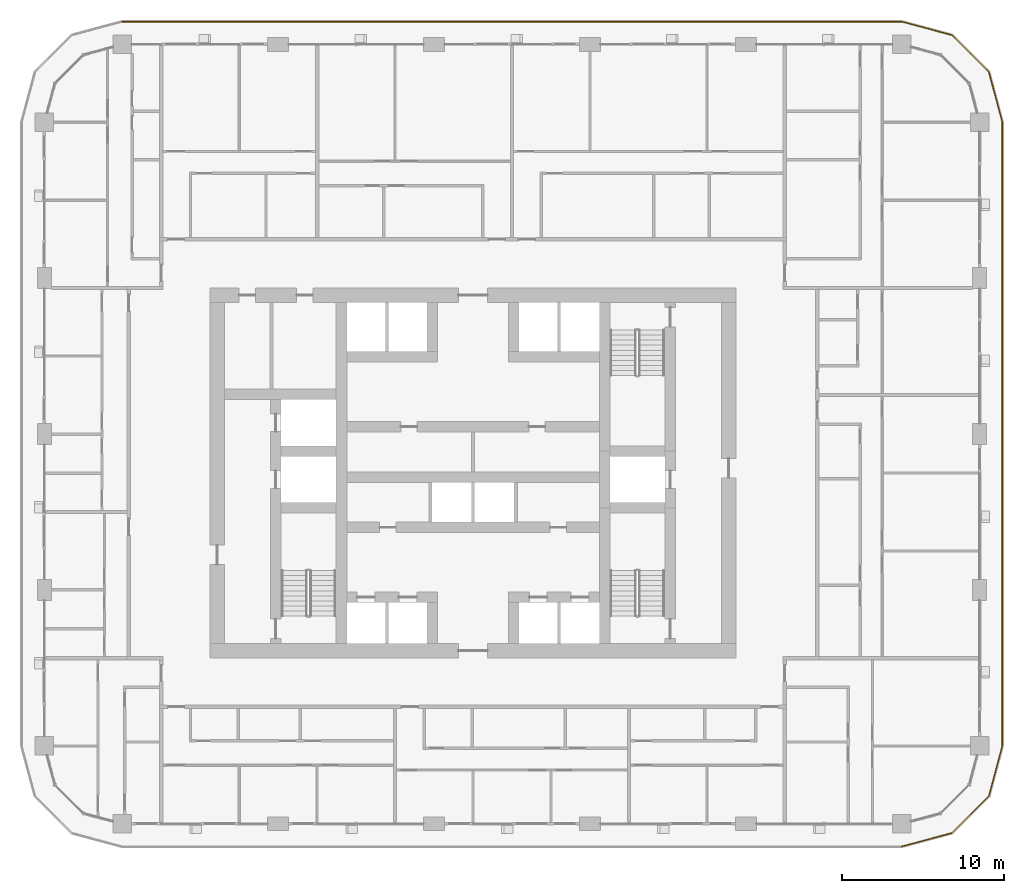
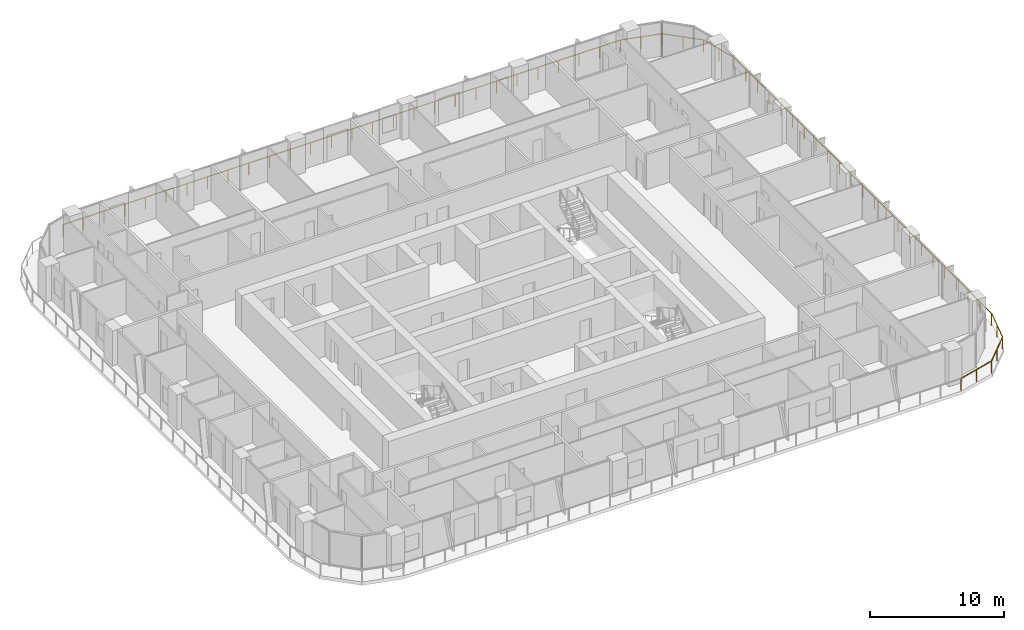
# One storey, part 19 of 21: 1 railing.
"""IFC4 building model written with IfcOpenShell, lengths in metres."""

import ifcopenshell
import ifcopenshell.guid

model = None  # the IFC model being written
_history = None  # IfcOwnerHistory: only IFC2X3 demands one
_inside = {}  # id of a spatial element -> (the spatial element, [elements in it])
_under = {}  # id of a project, library or spatial element -> (it, [spatial elements below it])
_declared = {}  # id of a project -> (the project, [libraries it declares])
_typed = {}  # id of a type object -> (the type object, [elements of that type])
_made_of = {}  # id of a material, layer set ... -> (it, [elements and type objects made of it])


def new_model(schema):
    """Start an empty IFC model of exactly this schema.

    Asked for "IFC4X3", IfcOpenShell would pick the latest addendum, in which some entities
    have other attributes; the version numbers below select the first issue.
    IFC2X3 requires an IfcOwnerHistory on every rooted entity: one is made here for all.
    """
    global model, _history
    if schema == "IFC4X3":
        model = ifcopenshell.file(schema_version=(4, 3, 0, 0))
    else:
        model = ifcopenshell.file(schema=schema)
    _inside.clear()
    _under.clear()
    _declared.clear()
    _typed.clear()
    _made_of.clear()
    _history = None
    if model.schema == "IFC2X3":
        org = make("IfcOrganization", Name="unknown")
        user = make(
            "IfcPersonAndOrganization",
            ThePerson=make("IfcPerson", FamilyName="unknown"),
            TheOrganization=org,
        )
        app = make(
            "IfcApplication",
            ApplicationDeveloper=org,
            Version="unknown",
            ApplicationFullName="unknown",
            ApplicationIdentifier="unknown",
        )
        _history = make(
            "IfcOwnerHistory",
            OwningUser=user,
            OwningApplication=app,
            ChangeAction="ADDED",
            CreationDate=0,
        )
    return model


def make(cls, **values):
    """One entity of the class cls with the attributes given. An attribute that is None is left unset."""
    return model.create_entity(
        cls, **{name: value for name, value in values.items() if value is not None}
    )


def rooted(cls, **values):
    """An entity with a GlobalId (a new one), such as an element, a storey or a relation."""
    return make(cls, GlobalId=ifcopenshell.guid.new(), OwnerHistory=_history, **values)


def si_unit(unit_type, name, prefix=None):
    """IfcSIUnit, for example si_unit("LENGTHUNIT", "METRE", prefix="MILLI")."""
    return make("IfcSIUnit", UnitType=unit_type, Prefix=prefix, Name=name)


def assignment(units):
    """IfcUnitAssignment: the units of a project."""
    return None if units is None else make("IfcUnitAssignment", Units=units)


def point(xyz):
    """IfcCartesianPoint."""
    return None if xyz is None else make("IfcCartesianPoint", Coordinates=xyz)


def direction(xyz):
    """IfcDirection."""
    return None if xyz is None else make("IfcDirection", DirectionRatios=xyz)


def frame(location, z_axis=None, x_axis=None):
    """IfcAxis2Placement3D, a coordinate frame: its origin and axes. An axis left out is left unset."""
    return make(
        "IfcAxis2Placement3D",
        Location=point(location),
        Axis=direction(z_axis),
        RefDirection=direction(x_axis),
    )


def frame_2d(location, x_axis=None):
    """IfcAxis2Placement2D, a coordinate frame in the plane: its origin and x axis."""
    return make(
        "IfcAxis2Placement2D", Location=point(location), RefDirection=direction(x_axis)
    )


def origin():
    """The frame at (0, 0, 0) with its axes left unset."""
    return frame((0.0, 0.0, 0.0))


def origin_2d():
    """The frame at (0, 0) in the plane with its x axis left unset."""
    return frame_2d((0.0, 0.0))


def place(relative_to, where):
    """IfcLocalPlacement: puts the frame where relative to a parent placement (None: the world)."""
    return make(
        "IfcLocalPlacement", PlacementRelTo=relative_to, RelativePlacement=where
    )


def context(
    kind, dimensions, precision=None, world=None, true_north=None, identifier=None
):
    """IfcGeometricRepresentationContext, for example the 3D "Model" context."""
    return make(
        "IfcGeometricRepresentationContext",
        ContextIdentifier=identifier,
        ContextType=kind,
        CoordinateSpaceDimension=dimensions,
        Precision=precision,
        WorldCoordinateSystem=world,
        TrueNorth=true_north,
    )


def subcontext(parent, identifier, kind, view, scale=None):
    """IfcGeometricRepresentationSubContext, for example "Body" below "Model"."""
    return make(
        "IfcGeometricRepresentationSubContext",
        ContextIdentifier=identifier,
        ContextType=kind,
        ParentContext=parent,
        TargetScale=scale,
        TargetView=view,
    )


def project(units=None, contexts=None):
    """IfcProject with its units and contexts."""
    return rooted(
        "IfcProject",
        Name="project",
        RepresentationContexts=contexts,
        UnitsInContext=assignment(units),
    )


def spatial(cls, under=None, at=None, **own):
    """A site, building, storey or space (cls), placed at a placement, below another one or the project."""
    s = rooted(cls, ObjectPlacement=at, **own)
    if under is not None:
        _under.setdefault(under.id(), (under, []))[1].append(s)
    return s


def profile(cls, at=None, kind="AREA", **sizes):
    """A parametric profile (cls). Its sizes go by their IFC names, for example OverallWidth=200.0."""
    return make(cls, ProfileType=kind, Position=at, **sizes)


def circle(**sizes):
    """IfcCircleProfileDef."""
    return profile("IfcCircleProfileDef", **sizes)


def extrude(swept, where, along, depth):
    """IfcExtrudedAreaSolid: the profile swept, set in the frame where, extruded along a direction by depth."""
    return make(
        "IfcExtrudedAreaSolid",
        SweptArea=swept,
        Position=where,
        ExtrudedDirection=direction(along),
        Depth=depth,
    )


def shape(context_of_items, identifier, shape_type, items):
    """IfcShapeRepresentation: the items that make up one representation, for example the "Body"."""
    return make(
        "IfcShapeRepresentation",
        ContextOfItems=context_of_items,
        RepresentationIdentifier=identifier,
        RepresentationType=shape_type,
        Items=items,
    )


def material(Name=None, Category=None):
    """IfcMaterial."""
    return make("IfcMaterial", Name=Name, Category=Category)


def made_of(thing, what):
    """Note that an element or type object is made of a material, layer set ...; save() writes the relation."""
    if what is not None:
        _made_of.setdefault(what.id(), (what, []))[1].append(thing)
    return thing


def type_object(cls, material=None, **own):
    """A type object (cls), such as IfcWallType, which elements share."""
    return made_of(rooted(cls, **own), material)


def element(
    cls,
    number,
    at=None,
    inside=None,
    cuts=None,
    type_object=None,
    material=None,
    context=None,
    identifier="Body",
    shape_type=None,
    held_by="IfcProductDefinitionShape",
    body=None,
    shapes=None,
    **own,
):
    """One element of the class cls, such as IfcWall. Its Tag is "e" and its number.

    at: its placement. inside: the storey or other place that contains it. cuts: it is an
    opening in that element (IfcRelVoidsElement). A single representation is given by context,
    identifier, shape_type and body (its items); several are given by shapes. held_by: the class
    of the entity that holds the representations. save() writes the other relations.
    """
    e = rooted(cls, Tag="e%d" % number, ObjectPlacement=at, **own)
    if body is not None:
        shapes = [shape(context, identifier, shape_type, body)]
    if shapes is not None:
        e.Representation = make(held_by, Representations=shapes)
    if inside is not None:
        _inside.setdefault(inside.id(), (inside, []))[1].append(e)
    if cuts is not None:
        rooted(
            "IfcRelVoidsElement", RelatingBuildingElement=cuts, RelatedOpeningElement=e
        )
    if type_object is not None:
        _typed.setdefault(type_object.id(), (type_object, []))[1].append(e)
    return made_of(e, material)


def aggregate(whole, parts):
    """IfcRelAggregates: a whole, such as a stair, and the parts it consists of."""
    return rooted("IfcRelAggregates", RelatingObject=whole, RelatedObjects=parts)


def save(model, path):
    """Write the relations noted so far, then the file.

    IfcRelAggregates (storeys below a building ...), IfcRelContainedInSpatialStructure (elements
    in a storey), IfcRelDefinesByType, IfcRelAssociatesMaterial and IfcRelDeclares: one each for
    every whole, place, type object, material and project.
    """
    for whole, parts in _under.values():
        aggregate(whole, parts)
    for where, things in _inside.values():
        rooted(
            "IfcRelContainedInSpatialStructure",
            RelatedElements=things,
            RelatingStructure=where,
        )
    for kind, things in _typed.values():
        rooted("IfcRelDefinesByType", RelatedObjects=things, RelatingType=kind)
    for what, things in _made_of.values():
        rooted("IfcRelAssociatesMaterial", RelatedObjects=things, RelatingMaterial=what)
    for by, libraries in _declared.values():
        rooted("IfcRelDeclares", RelatingContext=by, RelatedDefinitions=libraries)
    model.write(path)


model = new_model("IFC4")

# Units and contexts
model_context = context("Model", 3, precision=1e-05, world=origin(), true_north=direction((0.0, 1.0)))
body_context = subcontext(model_context, "Body", "Model", "MODEL_VIEW")
ifc_project = project(units=[si_unit("LENGTHUNIT", "METRE"), si_unit("AREAUNIT", "SQUARE_METRE"), si_unit("VOLUMEUNIT", "CUBIC_METRE"), si_unit("PLANEANGLEUNIT", "RADIAN"), si_unit("MASSUNIT", "GRAM", prefix="KILO")], contexts=[model_context])

# Site, building, storey
site_placement = place(None, origin())
site = spatial("IfcSite", under=ifc_project, at=site_placement, CompositionType="ELEMENT")
building_placement = place(site_placement, origin())
building = spatial("IfcBuilding", under=site, at=building_placement, Name="Madar Terraces", CompositionType="ELEMENT")
storey_placement = place(building_placement, frame((0.0, 0.0, 106.699951171875)))
storey = spatial("IfcBuildingStorey", under=building, at=storey_placement, Name="L27", CompositionType="ELEMENT", Elevation=106.699951171875)

# Railing
ifc_material = material(Name="Glass, safety glazing, with stainless steel posts", Category="steel")
railing_type = type_object("IfcRailingType", Name="Balcony glass guard 1100", PredefinedType="GUARDRAIL", material=ifc_material)
railing_placement = place(storey_placement, frame((57.60009765625, 3.39990234375, 0.0)))
element("IfcRailing", 1, at=railing_placement, inside=storey, type_object=railing_type, Name="Balcony guard", PredefinedType="GUARDRAIL", context=body_context, shape_type="SweptSolid", body=[
    extrude(circle(Radius=0.02392578125, at=origin_2d()), frame((0.0, 0.0, 1.076171875), z_axis=(0.965909675762, 0.25887931217, 0.0), x_axis=(-0.25887931217, 0.965909675762, 0.0)), (0.0, 0.0, 1.0), 3.209228515625),
    extrude(circle(Radius=0.02392578125, at=origin_2d()), frame((3.099853515625, 0.830810546875, 1.076171875), z_axis=(0.707144815061, 0.707068745266, 0.0), x_axis=(-0.707068745266, 0.707144815061, 0.0)), (0.0, 0.0, 1.0), 3.20947265625),
    extrude(circle(Radius=0.02392578125, at=origin_2d()), frame((5.369384765625, 3.10009765625, 1.076171875), z_axis=(0.258789317819, 0.9659337912, 0.0), x_axis=(-0.9659337912, 0.258789317819, 0.0)), (0.0, 0.0, 1.0), 3.20947265625),
    extrude(circle(Radius=0.02392578125, at=origin_2d()), frame((6.199951171875, 6.2001953125, 1.076171875), z_axis=(0.0, 1.0, 0.0), x_axis=(-1.0, 0.0, 0.0)), (0.0, 0.0, 1.0), 38.39990234375),
    extrude(circle(Radius=0.02392578125, at=origin_2d()), frame((6.199951171875, 44.60009765625, 1.076171875), z_axis=(-0.258789317819, 0.9659337912, 0.0), x_axis=(-0.9659337912, -0.258789317819, 0.0)), (0.0, 0.0, 1.0), 3.20947265625),
    extrude(circle(Radius=0.02392578125, at=origin_2d()), frame((5.369384765625, 47.7001953125, 1.076171875), z_axis=(-0.707144815061, 0.707068745266, 0.0), x_axis=(-0.707068745266, -0.707144815061, 0.0)), (0.0, 0.0, 1.0), 3.20947265625),
    extrude(circle(Radius=0.02392578125, at=origin_2d()), frame((3.099853515625, 49.969482421875, 1.076171875), z_axis=(-0.965928696102, 0.258808334578, 0.0), x_axis=(-0.258808334578, -0.965928696102, 0.0)), (0.0, 0.0, 1.0), 3.209228515625),
    extrude(circle(Radius=0.02392578125, at=origin_2d()), frame((0.0, 50.800048828125, 1.076171875), z_axis=(-1.0, 0.0, 0.0), x_axis=(0.0, -1.0, 0.0)), (0.0, 0.0, 1.0), 48.0),
    extrude(circle(Radius=0.02099609375, at=origin_2d()), origin(), (0.0, 0.0, 1.0), 1.052001953125),
    extrude(circle(Radius=0.02099609375, at=origin_2d()), frame((1.5498046875, 0.41552734375, 0.0)), (0.0, 0.0, 1.0), 1.052001953125),
    extrude(circle(Radius=0.02099609375, at=origin_2d()), frame((3.099853515625, 0.830810546875, 0.0)), (0.0, 0.0, 1.0), 1.052001953125),
    extrude(circle(Radius=0.02099609375, at=origin_2d()), frame((4.234619140625, 1.96533203125, 0.0)), (0.0, 0.0, 1.0), 1.052001953125),
    extrude(circle(Radius=0.02099609375, at=origin_2d()), frame((5.369384765625, 3.10009765625, 0.0)), (0.0, 0.0, 1.0), 1.052001953125),
    extrude(circle(Radius=0.02099609375, at=origin_2d()), frame((5.78466796875, 4.650146484375, 0.0)), (0.0, 0.0, 1.0), 1.052001953125),
    extrude(circle(Radius=0.02099609375, at=origin_2d()), frame((6.199951171875, 6.2001953125, 0.0)), (0.0, 0.0, 1.0), 1.052001953125),
    extrude(circle(Radius=0.02099609375, at=origin_2d()), frame((6.199951171875, 7.945556640625, 0.0)), (0.0, 0.0, 1.0), 1.052001953125),
    extrude(circle(Radius=0.02099609375, at=origin_2d()), frame((6.199951171875, 9.691162109375, 0.0)), (0.0, 0.0, 1.0), 1.052001953125),
    extrude(circle(Radius=0.02099609375, at=origin_2d()), frame((6.199951171875, 11.4365234375, 0.0)), (0.0, 0.0, 1.0), 1.052001953125),
    extrude(circle(Radius=0.02099609375, at=origin_2d()), frame((6.199951171875, 13.181884765625, 0.0)), (0.0, 0.0, 1.0), 1.052001953125),
    extrude(circle(Radius=0.02099609375, at=origin_2d()), frame((6.199951171875, 14.927490234375, 0.0)), (0.0, 0.0, 1.0), 1.052001953125),
    extrude(circle(Radius=0.02099609375, at=origin_2d()), frame((6.199951171875, 16.6728515625, 0.0)), (0.0, 0.0, 1.0), 1.052001953125),
    extrude(circle(Radius=0.02099609375, at=origin_2d()), frame((6.199951171875, 18.41845703125, 0.0)), (0.0, 0.0, 1.0), 1.052001953125),
    extrude(circle(Radius=0.02099609375, at=origin_2d()), frame((6.199951171875, 20.163818359375, 0.0)), (0.0, 0.0, 1.0), 1.052001953125),
    extrude(circle(Radius=0.02099609375, at=origin_2d()), frame((6.199951171875, 21.9091796875, 0.0)), (0.0, 0.0, 1.0), 1.052001953125),
    extrude(circle(Radius=0.02099609375, at=origin_2d()), frame((6.199951171875, 23.65478515625, 0.0)), (0.0, 0.0, 1.0), 1.052001953125),
    extrude(circle(Radius=0.02099609375, at=origin_2d()), frame((6.199951171875, 25.400146484375, 0.0)), (0.0, 0.0, 1.0), 1.052001953125),
    extrude(circle(Radius=0.02099609375, at=origin_2d()), frame((6.199951171875, 27.1455078125, 0.0)), (0.0, 0.0, 1.0), 1.052001953125),
    extrude(circle(Radius=0.02099609375, at=origin_2d()), frame((6.199951171875, 28.89111328125, 0.0)), (0.0, 0.0, 1.0), 1.052001953125),
    extrude(circle(Radius=0.02099609375, at=origin_2d()), frame((6.199951171875, 30.636474609375, 0.0)), (0.0, 0.0, 1.0), 1.052001953125),
    extrude(circle(Radius=0.02099609375, at=origin_2d()), frame((6.199951171875, 32.3818359375, 0.0)), (0.0, 0.0, 1.0), 1.052001953125),
    extrude(circle(Radius=0.02099609375, at=origin_2d()), frame((6.199951171875, 34.12744140625, 0.0)), (0.0, 0.0, 1.0), 1.052001953125),
    extrude(circle(Radius=0.02099609375, at=origin_2d()), frame((6.199951171875, 35.872802734375, 0.0)), (0.0, 0.0, 1.0), 1.052001953125),
    extrude(circle(Radius=0.02099609375, at=origin_2d()), frame((6.199951171875, 37.618408203125, 0.0)), (0.0, 0.0, 1.0), 1.052001953125),
    extrude(circle(Radius=0.02099609375, at=origin_2d()), frame((6.199951171875, 39.36376953125, 0.0)), (0.0, 0.0, 1.0), 1.052001953125),
    extrude(circle(Radius=0.02099609375, at=origin_2d()), frame((6.199951171875, 41.109130859375, 0.0)), (0.0, 0.0, 1.0), 1.052001953125),
    extrude(circle(Radius=0.02099609375, at=origin_2d()), frame((6.199951171875, 42.854736328125, 0.0)), (0.0, 0.0, 1.0), 1.052001953125),
    extrude(circle(Radius=0.02099609375, at=origin_2d()), frame((6.199951171875, 44.60009765625, 0.0)), (0.0, 0.0, 1.0), 1.052001953125),
    extrude(circle(Radius=0.02099609375, at=origin_2d()), frame((5.78466796875, 46.150146484375, 0.0)), (0.0, 0.0, 1.0), 1.052001953125),
    extrude(circle(Radius=0.02099609375, at=origin_2d()), frame((5.369384765625, 47.7001953125, 0.0)), (0.0, 0.0, 1.0), 1.052001953125),
    extrude(circle(Radius=0.02099609375, at=origin_2d()), frame((4.234619140625, 48.8349609375, 0.0)), (0.0, 0.0, 1.0), 1.052001953125),
    extrude(circle(Radius=0.02099609375, at=origin_2d()), frame((3.099853515625, 49.969482421875, 0.0)), (0.0, 0.0, 1.0), 1.052001953125),
    extrude(circle(Radius=0.02099609375, at=origin_2d()), frame((1.5498046875, 50.384765625, 0.0)), (0.0, 0.0, 1.0), 1.052001953125),
    extrude(circle(Radius=0.02099609375, at=origin_2d()), frame((0.0, 50.800048828125, 0.0)), (0.0, 0.0, 1.0), 1.052001953125),
    extrude(circle(Radius=0.02099609375, at=origin_2d()), frame((-1.77783203125, 50.800048828125, 0.0)), (0.0, 0.0, 1.0), 1.052001953125),
    extrude(circle(Radius=0.02099609375, at=origin_2d()), frame((-3.5556640625, 50.800048828125, 0.0)), (0.0, 0.0, 1.0), 1.052001953125),
    extrude(circle(Radius=0.02099609375, at=origin_2d()), frame((-5.333251953125, 50.800048828125, 0.0)), (0.0, 0.0, 1.0), 1.052001953125),
    extrude(circle(Radius=0.02099609375, at=origin_2d()), frame((-7.111083984375, 50.800048828125, 0.0)), (0.0, 0.0, 1.0), 1.052001953125),
    extrude(circle(Radius=0.02099609375, at=origin_2d()), frame((-8.888916015625, 50.800048828125, 0.0)), (0.0, 0.0, 1.0), 1.052001953125),
    extrude(circle(Radius=0.02099609375, at=origin_2d()), frame((-10.666748046875, 50.800048828125, 0.0)), (0.0, 0.0, 1.0), 1.052001953125),
    extrude(circle(Radius=0.02099609375, at=origin_2d()), frame((-12.4443359375, 50.800048828125, 0.0)), (0.0, 0.0, 1.0), 1.052001953125),
    extrude(circle(Radius=0.02099609375, at=origin_2d()), frame((-14.22216796875, 50.800048828125, 0.0)), (0.0, 0.0, 1.0), 1.052001953125),
    extrude(circle(Radius=0.02099609375, at=origin_2d()), frame((-16.0, 50.800048828125, 0.0)), (0.0, 0.0, 1.0), 1.052001953125),
    extrude(circle(Radius=0.02099609375, at=origin_2d()), frame((-17.77783203125, 50.800048828125, 0.0)), (0.0, 0.0, 1.0), 1.052001953125),
    extrude(circle(Radius=0.02099609375, at=origin_2d()), frame((-19.5556640625, 50.800048828125, 0.0)), (0.0, 0.0, 1.0), 1.052001953125),
    extrude(circle(Radius=0.02099609375, at=origin_2d()), frame((-21.333251953125, 50.800048828125, 0.0)), (0.0, 0.0, 1.0), 1.052001953125),
    extrude(circle(Radius=0.02099609375, at=origin_2d()), frame((-23.111083984375, 50.800048828125, 0.0)), (0.0, 0.0, 1.0), 1.052001953125),
    extrude(circle(Radius=0.02099609375, at=origin_2d()), frame((-24.888916015625, 50.800048828125, 0.0)), (0.0, 0.0, 1.0), 1.052001953125),
    extrude(circle(Radius=0.02099609375, at=origin_2d()), frame((-26.666748046875, 50.800048828125, 0.0)), (0.0, 0.0, 1.0), 1.052001953125),
    extrude(circle(Radius=0.02099609375, at=origin_2d()), frame((-28.4443359375, 50.800048828125, 0.0)), (0.0, 0.0, 1.0), 1.052001953125),
    extrude(circle(Radius=0.02099609375, at=origin_2d()), frame((-30.22216796875, 50.800048828125, 0.0)), (0.0, 0.0, 1.0), 1.052001953125),
    extrude(circle(Radius=0.02099609375, at=origin_2d()), frame((-32.0, 50.800048828125, 0.0)), (0.0, 0.0, 1.0), 1.052001953125),
    extrude(circle(Radius=0.02099609375, at=origin_2d()), frame((-33.77783203125, 50.800048828125, 0.0)), (0.0, 0.0, 1.0), 1.052001953125),
    extrude(circle(Radius=0.02099609375, at=origin_2d()), frame((-35.5556640625, 50.800048828125, 0.0)), (0.0, 0.0, 1.0), 1.052001953125),
    extrude(circle(Radius=0.02099609375, at=origin_2d()), frame((-37.333251953125, 50.800048828125, 0.0)), (0.0, 0.0, 1.0), 1.052001953125),
    extrude(circle(Radius=0.02099609375, at=origin_2d()), frame((-39.111083984375, 50.800048828125, 0.0)), (0.0, 0.0, 1.0), 1.052001953125),
    extrude(circle(Radius=0.02099609375, at=origin_2d()), frame((-40.888916015625, 50.800048828125, 0.0)), (0.0, 0.0, 1.0), 1.052001953125),
    extrude(circle(Radius=0.02099609375, at=origin_2d()), frame((-42.666748046875, 50.800048828125, 0.0)), (0.0, 0.0, 1.0), 1.052001953125),
    extrude(circle(Radius=0.02099609375, at=origin_2d()), frame((-44.4443359375, 50.800048828125, 0.0)), (0.0, 0.0, 1.0), 1.052001953125),
    extrude(circle(Radius=0.02099609375, at=origin_2d()), frame((-46.22216796875, 50.800048828125, 0.0)), (0.0, 0.0, 1.0), 1.052001953125),
    extrude(circle(Radius=0.02099609375, at=origin_2d()), frame((-48.0, 50.800048828125, 0.0)), (0.0, 0.0, 1.0), 1.052001953125),
])

save(model, "model.ifc")
